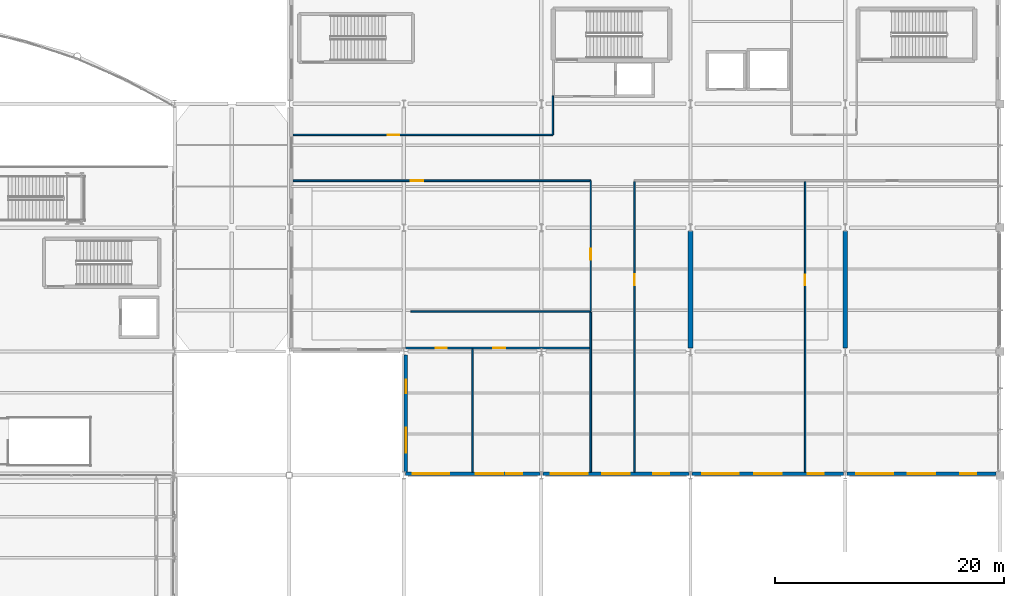
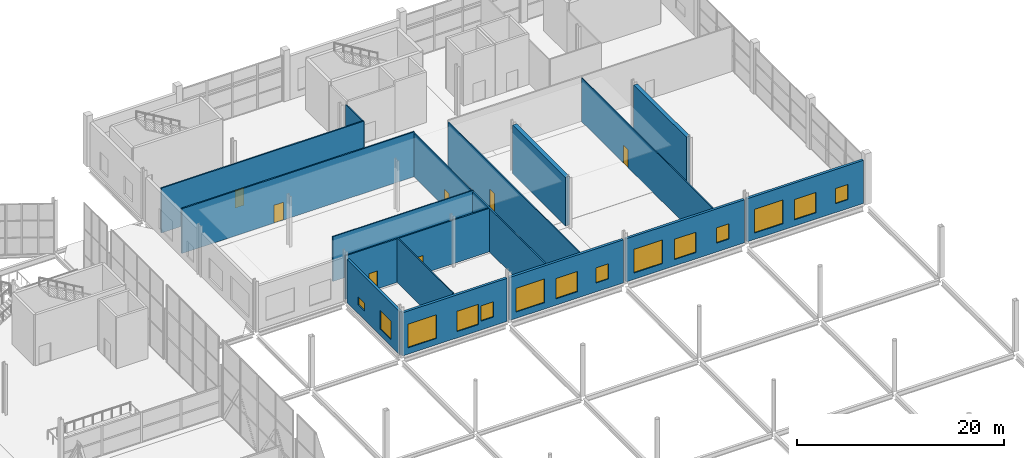
# One storey, part 173 of 191: 17 walls, 14 windows, 7 doors, 21 openings.
"""IFC4 building model written with IfcOpenShell, lengths in metres."""

from ifc_helpers import new_model, si_unit, direction, frame, frame_2d, origin, place, context, subcontext, project, spatial, rectangle, extrude, material, layer, layer_set, type_object, element, fill, save


model = new_model("IFC4")

# Units and contexts
model_context = context("Model", 3, precision=1e-05, world=origin(), true_north=direction((0.0, 1.0)))
body_context = subcontext(model_context, "Body", "Model", "MODEL_VIEW")
ifc_project = project(units=[si_unit("LENGTHUNIT", "METRE"), si_unit("AREAUNIT", "SQUARE_METRE"), si_unit("VOLUMEUNIT", "CUBIC_METRE"), si_unit("PLANEANGLEUNIT", "RADIAN"), si_unit("MASSUNIT", "GRAM", prefix="KILO")], contexts=[model_context])

# Site, building, storey
site_placement = place(None, origin())
site = spatial("IfcSite", under=ifc_project, at=site_placement, CompositionType="ELEMENT")
building_placement = place(site_placement, origin())
building = spatial("IfcBuilding", under=site, at=building_placement, Name="Tamarisk Ironworks Central Station", CompositionType="ELEMENT")
storey_placement = place(building_placement, frame((0.0, 0.0, 6.60009765625)))
storey = spatial("IfcBuildingStorey", under=building, at=storey_placement, Name="L01", CompositionType="ELEMENT", Elevation=6.60009765625)

# Wall, openings, windows
ifc_material_1 = material(Name="Clay facing brickwork and mortar", Category="masonry")
ifc_layer_1 = layer(ifc_material_1, 0.280029296875)
ifc_layer_set_1 = layer_set([ifc_layer_1], Name="Clay facing brickwork and mortar")
wall_type_1 = type_object("IfcWallType", Name="WL-BR280", PredefinedType="STANDARD", material=ifc_layer_set_1)
wall_1_placement = place(storey_placement, frame((128.14794921875, 79.340087890625, 0.0), z_axis=(0.0, 0.0, 1.0), x_axis=(1.0, 0.0, 0.0)))
wall_1 = element("IfcWall", 1, at=wall_1_placement, inside=storey, type_object=wall_type_1, Name="L01 brick facade wall 0057", PredefinedType="STANDARD", context=body_context, shape_type="SweptSolid", body=[
    extrude(rectangle(XDim=11.7041015625, YDim=0.280029296875, at=frame_2d((5.85205078125, 0.0))), origin(), (0.0, 0.0, 1.0), 5.08984375),
])
opening_1_placement = place(wall_1_placement, frame((0.616943359375, 0.0, 0.75)))
opening_1 = element("IfcOpeningElement", 2, at=opening_1_placement, cuts=wall_1, Name="Opening W02", PredefinedType="OPENING", context=body_context, shape_type="SweptSolid", body=[
    extrude(rectangle(XDim=3.199951171875, YDim=2.800048828125, at=frame_2d((1.60009765625, 1.39990234375))), frame((0.0, 0.15185546875, 0.0), z_axis=(0.0, -1.0, 0.0), x_axis=(1.0, 0.0, 0.0)), (0.0, 0.0, 1.0), 0.303955078125),
])
opening_2_placement = place(wall_1_placement, frame((6.10205078125, 0.0, 0.75)))
opening_2 = element("IfcOpeningElement", 3, at=opening_2_placement, cuts=wall_1, Name="Opening W06", PredefinedType="OPENING", context=body_context, shape_type="SweptSolid", body=[
    extrude(rectangle(XDim=2.39990234375, YDim=2.39990234375, at=frame_2d((1.199951171875, 1.199951171875))), frame((0.0, 0.15185546875, 0.0), z_axis=(0.0, -1.0, 0.0), x_axis=(1.0, 0.0, 0.0)), (0.0, 0.0, 1.0), 0.303955078125),
])
opening_3_placement = place(wall_1_placement, frame((8.787109375, 0.0, 1.050048828125)))
opening_3 = element("IfcOpeningElement", 4, at=opening_3_placement, cuts=wall_1, Name="Opening W12", PredefinedType="OPENING", context=body_context, shape_type="SweptSolid", body=[
    extrude(rectangle(XDim=1.39990234375, YDim=1.800048828125, at=frame_2d((0.699951171875, 0.89990234375))), frame((0.0, 0.15185546875, 0.0), z_axis=(0.0, -1.0, 0.0), x_axis=(1.0, 0.0, 0.0)), (0.0, 0.0, 1.0), 0.303955078125),
])
ifc_material_2 = material(Name="Laminated solar-control low-E glass", Category="glass")
window_type_1 = type_object("IfcWindowType", Name="WN-02", PartitioningType="SINGLE_PANEL", PredefinedType="WINDOW", material=ifc_material_2)
window_1_placement = place(opening_1_placement, origin())
window_1 = element("IfcWindow", 5, at=window_1_placement, inside=storey, type_object=window_type_1, Name="L01 exterior window 0083", OverallHeight=2.800048828125, OverallWidth=3.199951171875, PartitioningType="DOUBLE_PANEL_VERTICAL", PredefinedType="WINDOW", context=body_context, shape_type="SweptSolid", body=[
    extrude(rectangle(XDim=3.199951171875, YDim=2.800048828125, at=frame_2d((1.60009765625, 1.39990234375))), frame((0.0, 0.030029296875, 0.0), z_axis=(0.0, -1.0, 0.0), x_axis=(1.0, 0.0, 0.0)), (0.0, 0.0, 1.0), 0.06005859375),
])
fill(opening_1, window_1)
window_type_2 = type_object("IfcWindowType", Name="WN-06", PartitioningType="SINGLE_PANEL", PredefinedType="WINDOW", material=ifc_material_2)
window_2_placement = place(opening_2_placement, origin())
window_2 = element("IfcWindow", 6, at=window_2_placement, inside=storey, type_object=window_type_2, Name="L01 exterior window 0084", OverallHeight=2.39990234375, OverallWidth=2.39990234375, PartitioningType="DOUBLE_PANEL_VERTICAL", PredefinedType="WINDOW", context=body_context, shape_type="SweptSolid", body=[
    extrude(rectangle(XDim=2.39990234375, YDim=2.39990234375, at=frame_2d((1.199951171875, 1.199951171875))), frame((0.0, 0.030029296875, 0.0), z_axis=(0.0, -1.0, 0.0), x_axis=(1.0, 0.0, 0.0)), (0.0, 0.0, 1.0), 0.06005859375),
])
fill(opening_2, window_2)
window_type_3 = type_object("IfcWindowType", Name="WN-12", PartitioningType="SINGLE_PANEL", PredefinedType="WINDOW", material=ifc_material_2)
window_3_placement = place(opening_3_placement, origin())
window_3 = element("IfcWindow", 7, at=window_3_placement, inside=storey, type_object=window_type_3, Name="L01 exterior window 0085", OverallHeight=1.800048828125, OverallWidth=1.39990234375, PartitioningType="DOUBLE_PANEL_VERTICAL", PredefinedType="WINDOW", context=body_context, shape_type="SweptSolid", body=[
    extrude(rectangle(XDim=1.39990234375, YDim=1.800048828125, at=frame_2d((0.699951171875, 0.89990234375))), frame((0.0, 0.030029296875, 0.0), z_axis=(0.0, -1.0, 0.0), x_axis=(1.0, 0.0, 0.0)), (0.0, 0.0, 1.0), 0.06005859375),
])
fill(opening_3, window_3)

wall_2_placement = place(storey_placement, frame((140.14794921875, 79.340087890625, 0.0), z_axis=(0.0, 0.0, 1.0), x_axis=(1.0, 0.0, 0.0)))
wall_2 = element("IfcWall", 8, at=wall_2_placement, inside=storey, type_object=wall_type_1, Name="L01 brick facade wall 0058", PredefinedType="STANDARD", context=body_context, shape_type="SweptSolid", body=[
    extrude(rectangle(XDim=12.7041015625, YDim=0.280029296875, at=frame_2d((6.35205078125, 0.0))), origin(), (0.0, 0.0, 1.0), 5.08984375),
])
opening_4_placement = place(wall_2_placement, frame((0.68408203125, 0.0, 0.75)))
opening_4 = element("IfcOpeningElement", 9, at=opening_4_placement, cuts=wall_2, Name="Opening W02", PredefinedType="OPENING", context=body_context, shape_type="SweptSolid", body=[
    extrude(rectangle(XDim=3.199951171875, YDim=2.800048828125, at=frame_2d((1.60009765625, 1.39990234375))), frame((0.0, 0.15185546875, 0.0), z_axis=(0.0, -1.0, 0.0), x_axis=(1.0, 0.0, 0.0)), (0.0, 0.0, 1.0), 0.303955078125),
])
opening_5_placement = place(wall_2_placement, frame((5.152099609375, 0.0, 0.75)))
opening_5 = element("IfcOpeningElement", 10, at=opening_5_placement, cuts=wall_2, Name="Opening W06", PredefinedType="OPENING", context=body_context, shape_type="SweptSolid", body=[
    extrude(rectangle(XDim=2.39990234375, YDim=2.39990234375, at=frame_2d((1.199951171875, 1.199951171875))), frame((0.0, 0.15185546875, 0.0), z_axis=(0.0, -1.0, 0.0), x_axis=(1.0, 0.0, 0.0)), (0.0, 0.0, 1.0), 0.303955078125),
])
opening_6_placement = place(wall_2_placement, frame((9.6201171875, 0.0, 1.050048828125)))
opening_6 = element("IfcOpeningElement", 11, at=opening_6_placement, cuts=wall_2, Name="Opening W12", PredefinedType="OPENING", context=body_context, shape_type="SweptSolid", body=[
    extrude(rectangle(XDim=1.39990234375, YDim=1.800048828125, at=frame_2d((0.699951171875, 0.89990234375))), frame((0.0, 0.15185546875, 0.0), z_axis=(0.0, -1.0, 0.0), x_axis=(1.0, 0.0, 0.0)), (0.0, 0.0, 1.0), 0.303955078125),
])
window_4_placement = place(opening_4_placement, origin())
window_4 = element("IfcWindow", 12, at=window_4_placement, inside=storey, type_object=window_type_1, Name="L01 exterior window 0086", OverallHeight=2.800048828125, OverallWidth=3.199951171875, PartitioningType="DOUBLE_PANEL_VERTICAL", PredefinedType="WINDOW", context=body_context, shape_type="SweptSolid", body=[
    extrude(rectangle(XDim=3.199951171875, YDim=2.800048828125, at=frame_2d((1.60009765625, 1.39990234375))), frame((0.0, 0.030029296875, 0.0), z_axis=(0.0, -1.0, 0.0), x_axis=(1.0, 0.0, 0.0)), (0.0, 0.0, 1.0), 0.06005859375),
])
fill(opening_4, window_4)
window_5_placement = place(opening_5_placement, origin())
window_5 = element("IfcWindow", 13, at=window_5_placement, inside=storey, type_object=window_type_2, Name="L01 exterior window 0087", OverallHeight=2.39990234375, OverallWidth=2.39990234375, PartitioningType="DOUBLE_PANEL_VERTICAL", PredefinedType="WINDOW", context=body_context, shape_type="SweptSolid", body=[
    extrude(rectangle(XDim=2.39990234375, YDim=2.39990234375, at=frame_2d((1.199951171875, 1.199951171875))), frame((0.0, 0.030029296875, 0.0), z_axis=(0.0, -1.0, 0.0), x_axis=(1.0, 0.0, 0.0)), (0.0, 0.0, 1.0), 0.06005859375),
])
fill(opening_5, window_5)
window_6_placement = place(opening_6_placement, origin())
window_6 = element("IfcWindow", 14, at=window_6_placement, inside=storey, type_object=window_type_3, Name="L01 exterior window 0088", OverallHeight=1.800048828125, OverallWidth=1.39990234375, PartitioningType="DOUBLE_PANEL_VERTICAL", PredefinedType="WINDOW", context=body_context, shape_type="SweptSolid", body=[
    extrude(rectangle(XDim=1.39990234375, YDim=1.800048828125, at=frame_2d((0.699951171875, 0.89990234375))), frame((0.0, 0.030029296875, 0.0), z_axis=(0.0, -1.0, 0.0), x_axis=(1.0, 0.0, 0.0)), (0.0, 0.0, 1.0), 0.06005859375),
])
fill(opening_6, window_6)

wall_3_placement = place(storey_placement, frame((153.14794921875, 79.340087890625, 0.0), z_axis=(0.0, 0.0, 1.0), x_axis=(1.0, 0.0, 0.0)))
wall_3 = element("IfcWall", 15, at=wall_3_placement, inside=storey, type_object=wall_type_1, Name="L01 brick facade wall 0059", PredefinedType="STANDARD", context=body_context, shape_type="SweptSolid", body=[
    extrude(rectangle(XDim=13.2041015625, YDim=0.280029296875, at=frame_2d((6.60205078125, 0.0))), origin(), (0.0, 0.0, 1.0), 5.08984375),
])
opening_7_placement = place(wall_3_placement, frame((0.866943359375, 0.0, 0.75)))
opening_7 = element("IfcOpeningElement", 16, at=opening_7_placement, cuts=wall_3, Name="Opening W02", PredefinedType="OPENING", context=body_context, shape_type="SweptSolid", body=[
    extrude(rectangle(XDim=3.199951171875, YDim=2.800048828125, at=frame_2d((1.60009765625, 1.39990234375))), frame((0.0, 0.15185546875, 0.0), z_axis=(0.0, -1.0, 0.0), x_axis=(1.0, 0.0, 0.0)), (0.0, 0.0, 1.0), 0.303955078125),
])
opening_8_placement = place(wall_3_placement, frame((5.402099609375, 0.0, 0.75)))
opening_8 = element("IfcOpeningElement", 17, at=opening_8_placement, cuts=wall_3, Name="Opening W06", PredefinedType="OPENING", context=body_context, shape_type="SweptSolid", body=[
    extrude(rectangle(XDim=2.39990234375, YDim=2.39990234375, at=frame_2d((1.199951171875, 1.199951171875))), frame((0.0, 0.15185546875, 0.0), z_axis=(0.0, -1.0, 0.0), x_axis=(1.0, 0.0, 0.0)), (0.0, 0.0, 1.0), 0.303955078125),
])
opening_9_placement = place(wall_3_placement, frame((10.0869140625, 0.0, 1.050048828125)))
opening_9 = element("IfcOpeningElement", 18, at=opening_9_placement, cuts=wall_3, Name="Opening W12", PredefinedType="OPENING", context=body_context, shape_type="SweptSolid", body=[
    extrude(rectangle(XDim=1.39990234375, YDim=1.800048828125, at=frame_2d((0.699951171875, 0.89990234375))), frame((0.0, 0.15185546875, 0.0), z_axis=(0.0, -1.0, 0.0), x_axis=(1.0, 0.0, 0.0)), (0.0, 0.0, 1.0), 0.303955078125),
])
window_7_placement = place(opening_7_placement, origin())
window_7 = element("IfcWindow", 19, at=window_7_placement, inside=storey, type_object=window_type_1, Name="L01 exterior window 0089", OverallHeight=2.800048828125, OverallWidth=3.199951171875, PartitioningType="DOUBLE_PANEL_VERTICAL", PredefinedType="WINDOW", context=body_context, shape_type="SweptSolid", body=[
    extrude(rectangle(XDim=3.199951171875, YDim=2.800048828125, at=frame_2d((1.60009765625, 1.39990234375))), frame((0.0, 0.030029296875, 0.0), z_axis=(0.0, -1.0, 0.0), x_axis=(1.0, 0.0, 0.0)), (0.0, 0.0, 1.0), 0.06005859375),
])
fill(opening_7, window_7)
window_8_placement = place(opening_8_placement, origin())
window_8 = element("IfcWindow", 20, at=window_8_placement, inside=storey, type_object=window_type_2, Name="L01 exterior window 0090", OverallHeight=2.39990234375, OverallWidth=2.39990234375, PartitioningType="DOUBLE_PANEL_VERTICAL", PredefinedType="WINDOW", context=body_context, shape_type="SweptSolid", body=[
    extrude(rectangle(XDim=2.39990234375, YDim=2.39990234375, at=frame_2d((1.199951171875, 1.199951171875))), frame((0.0, 0.030029296875, 0.0), z_axis=(0.0, -1.0, 0.0), x_axis=(1.0, 0.0, 0.0)), (0.0, 0.0, 1.0), 0.06005859375),
])
fill(opening_8, window_8)
window_9_placement = place(opening_9_placement, origin())
window_9 = element("IfcWindow", 21, at=window_9_placement, inside=storey, type_object=window_type_3, Name="L01 exterior window 0091", OverallHeight=1.800048828125, OverallWidth=1.39990234375, PartitioningType="DOUBLE_PANEL_VERTICAL", PredefinedType="WINDOW", context=body_context, shape_type="SweptSolid", body=[
    extrude(rectangle(XDim=1.39990234375, YDim=1.800048828125, at=frame_2d((0.699951171875, 0.89990234375))), frame((0.0, 0.030029296875, 0.0), z_axis=(0.0, -1.0, 0.0), x_axis=(1.0, 0.0, 0.0)), (0.0, 0.0, 1.0), 0.06005859375),
])
fill(opening_9, window_9)

wall_4_placement = place(storey_placement, frame((166.64794921875, 79.340087890625, 0.0), z_axis=(0.0, 0.0, 1.0), x_axis=(1.0, 0.0, 0.0)))
wall_4 = element("IfcWall", 22, at=wall_4_placement, inside=storey, type_object=wall_type_1, Name="L01 brick facade wall 0060", PredefinedType="STANDARD", context=body_context, shape_type="SweptSolid", body=[
    extrude(rectangle(XDim=13.004150390625, YDim=0.280029296875, at=frame_2d((6.501953125, 0.0))), origin(), (0.0, 0.0, 1.0), 5.08984375),
])
opening_10_placement = place(wall_4_placement, frame((0.833984375, 0.0, 0.75)))
opening_10 = element("IfcOpeningElement", 23, at=opening_10_placement, cuts=wall_4, Name="Opening W02", PredefinedType="OPENING", context=body_context, shape_type="SweptSolid", body=[
    extrude(rectangle(XDim=3.199951171875, YDim=2.800048828125, at=frame_2d((1.60009765625, 1.39990234375))), frame((0.0, 0.15185546875, 0.0), z_axis=(0.0, -1.0, 0.0), x_axis=(1.0, 0.0, 0.0)), (0.0, 0.0, 1.0), 0.303955078125),
])
opening_11_placement = place(wall_4_placement, frame((5.302001953125, 0.0, 0.75)))
opening_11 = element("IfcOpeningElement", 24, at=opening_11_placement, cuts=wall_4, Name="Opening W06", PredefinedType="OPENING", context=body_context, shape_type="SweptSolid", body=[
    extrude(rectangle(XDim=2.39990234375, YDim=2.39990234375, at=frame_2d((1.199951171875, 1.199951171875))), frame((0.0, 0.15185546875, 0.0), z_axis=(0.0, -1.0, 0.0), x_axis=(1.0, 0.0, 0.0)), (0.0, 0.0, 1.0), 0.303955078125),
])
opening_12_placement = place(wall_4_placement, frame((9.8701171875, 0.0, 1.050048828125)))
opening_12 = element("IfcOpeningElement", 25, at=opening_12_placement, cuts=wall_4, Name="Opening W12", PredefinedType="OPENING", context=body_context, shape_type="SweptSolid", body=[
    extrude(rectangle(XDim=1.39990234375, YDim=1.800048828125, at=frame_2d((0.699951171875, 0.89990234375))), frame((0.0, 0.15185546875, 0.0), z_axis=(0.0, -1.0, 0.0), x_axis=(1.0, 0.0, 0.0)), (0.0, 0.0, 1.0), 0.303955078125),
])
window_10_placement = place(opening_10_placement, origin())
window_10 = element("IfcWindow", 26, at=window_10_placement, inside=storey, type_object=window_type_1, Name="L01 exterior window 0092", OverallHeight=2.800048828125, OverallWidth=3.199951171875, PartitioningType="DOUBLE_PANEL_VERTICAL", PredefinedType="WINDOW", context=body_context, shape_type="SweptSolid", body=[
    extrude(rectangle(XDim=3.199951171875, YDim=2.800048828125, at=frame_2d((1.60009765625, 1.39990234375))), frame((0.0, 0.030029296875, 0.0), z_axis=(0.0, -1.0, 0.0), x_axis=(1.0, 0.0, 0.0)), (0.0, 0.0, 1.0), 0.06005859375),
])
fill(opening_10, window_10)
window_11_placement = place(opening_11_placement, origin())
window_11 = element("IfcWindow", 27, at=window_11_placement, inside=storey, type_object=window_type_2, Name="L01 exterior window 0093", OverallHeight=2.39990234375, OverallWidth=2.39990234375, PartitioningType="DOUBLE_PANEL_VERTICAL", PredefinedType="WINDOW", context=body_context, shape_type="SweptSolid", body=[
    extrude(rectangle(XDim=2.39990234375, YDim=2.39990234375, at=frame_2d((1.199951171875, 1.199951171875))), frame((0.0, 0.030029296875, 0.0), z_axis=(0.0, -1.0, 0.0), x_axis=(1.0, 0.0, 0.0)), (0.0, 0.0, 1.0), 0.06005859375),
])
fill(opening_11, window_11)
window_12_placement = place(opening_12_placement, origin())
window_12 = element("IfcWindow", 28, at=window_12_placement, inside=storey, type_object=window_type_3, Name="L01 exterior window 0094", OverallHeight=1.800048828125, OverallWidth=1.39990234375, PartitioningType="DOUBLE_PANEL_VERTICAL", PredefinedType="WINDOW", context=body_context, shape_type="SweptSolid", body=[
    extrude(rectangle(XDim=1.39990234375, YDim=1.800048828125, at=frame_2d((0.699951171875, 0.89990234375))), frame((0.0, 0.030029296875, 0.0), z_axis=(0.0, -1.0, 0.0), x_axis=(1.0, 0.0, 0.0)), (0.0, 0.0, 1.0), 0.06005859375),
])
fill(opening_12, window_12)

wall_5_placement = place(storey_placement, frame((128.169921875, 79.498046875, 0.0), z_axis=(0.0, 0.0, 1.0), x_axis=(0.0, 1.0, 0.0)))
wall_5 = element("IfcWall", 29, at=wall_5_placement, inside=storey, type_object=wall_type_1, Name="L01 brick facade wall 0065", PredefinedType="STANDARD", context=body_context, shape_type="SweptSolid", body=[
    extrude(rectangle(XDim=10.203857421875, YDim=0.280029296875, at=frame_2d((5.10205078125, 0.0))), origin(), (0.0, 0.0, 1.0), 5.08984375),
])
opening_13_placement = place(wall_5_placement, frame((1.65087890625, 0.0, 0.75)))
opening_13 = element("IfcOpeningElement", 30, at=opening_13_placement, cuts=wall_5, Name="Opening W07", PredefinedType="OPENING", context=body_context, shape_type="SweptSolid", body=[
    extrude(rectangle(XDim=2.199951171875, YDim=2.199951171875, at=frame_2d((1.10009765625, 1.10009765625))), frame((0.0, 0.15185546875, 0.0), z_axis=(0.0, -1.0, 0.0), x_axis=(1.0, 0.0, 0.0)), (0.0, 0.0, 1.0), 0.303955078125),
])
opening_14_placement = place(wall_5_placement, frame((6.85302734375, 0.0, 1.050048828125)))
opening_14 = element("IfcOpeningElement", 31, at=opening_14_placement, cuts=wall_5, Name="Opening W19", PredefinedType="OPENING", context=body_context, shape_type="SweptSolid", body=[
    extrude(rectangle(XDim=1.199951171875, YDim=0.89990234375, at=frame_2d((0.60009765625, 0.449951171875))), frame((0.0, 0.15185546875, 0.0), z_axis=(0.0, -1.0, 0.0), x_axis=(1.0, 0.0, 0.0)), (0.0, 0.0, 1.0), 0.303955078125),
])
window_type_4 = type_object("IfcWindowType", Name="WN-07", PartitioningType="SINGLE_PANEL", PredefinedType="WINDOW", material=ifc_material_2)
window_13_placement = place(opening_13_placement, origin())
window_13 = element("IfcWindow", 32, at=window_13_placement, inside=storey, type_object=window_type_4, Name="L01 exterior window 0103", OverallHeight=2.199951171875, OverallWidth=2.199951171875, PartitioningType="DOUBLE_PANEL_VERTICAL", PredefinedType="WINDOW", context=body_context, shape_type="SweptSolid", body=[
    extrude(rectangle(XDim=2.199951171875, YDim=2.199951171875, at=frame_2d((1.10009765625, 1.10009765625))), frame((0.0, 0.030029296875, 0.0), z_axis=(0.0, -1.0, 0.0), x_axis=(1.0, 0.0, 0.0)), (0.0, 0.0, 1.0), 0.06005859375),
])
fill(opening_13, window_13)
window_type_5 = type_object("IfcWindowType", Name="WN-19", PartitioningType="SINGLE_PANEL", PredefinedType="WINDOW", material=ifc_material_2)
window_14_placement = place(opening_14_placement, origin())
window_14 = element("IfcWindow", 33, at=window_14_placement, inside=storey, type_object=window_type_5, Name="L01 exterior window 0104", OverallHeight=0.89990234375, OverallWidth=1.199951171875, PartitioningType="DOUBLE_PANEL_VERTICAL", PredefinedType="WINDOW", context=body_context, shape_type="SweptSolid", body=[
    extrude(rectangle(XDim=1.199951171875, YDim=0.89990234375, at=frame_2d((0.60009765625, 0.449951171875))), frame((0.0, 0.030029296875, 0.0), z_axis=(0.0, -1.0, 0.0), x_axis=(1.0, 0.0, 0.0)), (0.0, 0.0, 1.0), 0.06005859375),
])
fill(opening_14, window_14)

# Wall
ifc_material_3 = material(Name="Gypsum plasterboard acoustic partition")
ifc_layer_2 = layer(ifc_material_3, 0.1201171875)
ifc_layer_set_2 = layer_set([ifc_layer_2], Name="Gypsum plasterboard acoustic partition")
wall_type_2 = type_object("IfcWallType", Name="WL-PT120", PredefinedType="PARTITIONING", material=ifc_layer_set_2)
wall_6_placement = place(storey_placement, frame((128.60009765625, 93.5, 0.0), z_axis=(0.0, 0.0, 1.0), x_axis=(1.0, 0.0, 0.0)))
element("IfcWall", 34, at=wall_6_placement, inside=storey, type_object=wall_type_2, Name="L01 interior partition 0075", PredefinedType="PARTITIONING", context=body_context, shape_type="SweptSolid", body=[
    extrude(rectangle(XDim=15.699951171875, YDim=0.1201171875, at=frame_2d((7.85009765625, 0.0))), origin(), (0.0, 0.0, 1.0), 5.289794921875),
])

# Wall, opening, door
wall_7_placement = place(storey_placement, frame((144.300048828125, 93.5, 0.0), z_axis=(0.0, 0.0, 1.0), x_axis=(0.0, 1.0, 0.0)))
wall_7 = element("IfcWall", 35, at=wall_7_placement, inside=storey, type_object=wall_type_2, Name="L01 interior partition 0076", PredefinedType="PARTITIONING", context=body_context, shape_type="SweptSolid", body=[
    extrude(rectangle(XDim=11.39990234375, YDim=0.1201171875, at=frame_2d((5.699951171875, 0.0))), origin(), (0.0, 0.0, 1.0), 5.139892578125),
])
opening_15_placement = place(wall_7_placement, frame((4.5, 0.0, 0.0048828125)))
opening_15 = element("IfcOpeningElement", 36, at=opening_15_placement, cuts=wall_7, Name="Opening D07", PredefinedType="OPENING", context=body_context, shape_type="SweptSolid", body=[
    extrude(rectangle(XDim=0.949951171875, YDim=2.10009765625, at=frame_2d((0.47509765625, 1.050048828125))), frame((0.0, 0.072021484375, 0.0), z_axis=(0.0, -1.0, 0.0), x_axis=(1.0, 0.0, 0.0)), (0.0, 0.0, 1.0), 0.14404296875),
])
ifc_material_4 = material(Name="FSC certified tropical hardwood timber", Category="wood")
door_type_1 = type_object("IfcDoorType", Name="DR-ID07", OperationType="NOTDEFINED", PredefinedType="DOOR", material=ifc_material_4)
door_1_placement = place(opening_15_placement, origin())
door_1 = element("IfcDoor", 37, at=door_1_placement, inside=storey, type_object=door_type_1, Name="L01 room door 0056", OperationType="SINGLE_SWING_LEFT", OverallHeight=2.10009765625, OverallWidth=0.949951171875, PredefinedType="DOOR", context=body_context, shape_type="SweptSolid", body=[
    extrude(rectangle(XDim=0.949951171875, YDim=2.10009765625, at=frame_2d((0.47509765625, 1.050048828125))), frame((0.0, 0.02490234375, 0.0), z_axis=(0.0, -1.0, 0.0), x_axis=(1.0, 0.0, 0.0)), (0.0, 0.0, 1.0), 0.050048828125),
])
fill(opening_15, door_1)

wall_8_placement = place(storey_placement, frame((148.10009765625, 79.47802734375, 0.0), z_axis=(0.0, 0.0, 1.0), x_axis=(0.0, 1.0, 0.0)))
wall_8 = element("IfcWall", 38, at=wall_8_placement, inside=storey, type_object=wall_type_2, Name="L01 interior partition 0078", PredefinedType="PARTITIONING", context=body_context, shape_type="SweptSolid", body=[
    extrude(rectangle(XDim=25.348876953125, YDim=0.1201171875, at=frame_2d((12.67431640625, 0.0))), origin(), (0.0, 0.0, 1.0), 5.139892578125),
])
opening_16_placement = place(wall_8_placement, frame((16.322021484375, 0.0, 0.0048828125)))
opening_16 = element("IfcOpeningElement", 39, at=opening_16_placement, cuts=wall_8, Name="Opening D07", PredefinedType="OPENING", context=body_context, shape_type="SweptSolid", body=[
    extrude(rectangle(XDim=0.949951171875, YDim=2.10009765625, at=frame_2d((0.47509765625, 1.050048828125))), frame((0.0, 0.072021484375, 0.0), z_axis=(0.0, -1.0, 0.0), x_axis=(1.0, 0.0, 0.0)), (0.0, 0.0, 1.0), 0.14404296875),
])
door_2_placement = place(opening_16_placement, origin())
door_2 = element("IfcDoor", 40, at=door_2_placement, inside=storey, type_object=door_type_1, Name="L01 room door 0057", OperationType="SINGLE_SWING_RIGHT", OverallHeight=2.10009765625, OverallWidth=0.949951171875, PredefinedType="DOOR", context=body_context, shape_type="SweptSolid", body=[
    extrude(rectangle(XDim=0.949951171875, YDim=2.10009765625, at=frame_2d((0.47509765625, 1.050048828125))), frame((0.0, 0.02490234375, 0.0), z_axis=(0.0, -1.0, 0.0), x_axis=(1.0, 0.0, 0.0)), (0.0, 0.0, 1.0), 0.050048828125),
])
fill(opening_16, door_2)

# Wall
wall_9_placement = place(storey_placement, frame((141.0, 108.89990234375, 0.0), z_axis=(0.0, 0.0, 1.0), x_axis=(0.0, 1.0, 0.0)))
element("IfcWall", 41, at=wall_9_placement, inside=storey, type_object=wall_type_2, Name="L01 interior partition 0080", PredefinedType="PARTITIONING", context=body_context, shape_type="SweptSolid", body=[
    extrude(rectangle(XDim=3.400146484375, YDim=0.1201171875, at=frame_2d((1.7001953125, 0.0))), origin(), (0.0, 0.0, 1.0), 5.139892578125),
])

# Wall, opening, door
wall_10_placement = place(storey_placement, frame((163.0, 79.47802734375, 0.0), z_axis=(0.0, 0.0, 1.0), x_axis=(0.0, 1.0, 0.0)))
wall_10 = element("IfcWall", 42, at=wall_10_placement, inside=storey, type_object=wall_type_2, Name="L01 interior partition 0084", PredefinedType="PARTITIONING", context=body_context, shape_type="SweptSolid", body=[
    extrude(rectangle(XDim=25.348876953125, YDim=0.1201171875, at=frame_2d((12.67431640625, 0.0))), origin(), (0.0, 0.0, 1.0), 5.139892578125),
])
opening_17_placement = place(wall_10_placement, frame((16.322021484375, 0.0, 0.0048828125)))
opening_17 = element("IfcOpeningElement", 43, at=opening_17_placement, cuts=wall_10, Name="Opening D08", PredefinedType="OPENING", context=body_context, shape_type="SweptSolid", body=[
    extrude(rectangle(XDim=0.89990234375, YDim=2.10009765625, at=frame_2d((0.449951171875, 1.050048828125))), frame((0.0, 0.072021484375, 0.0), z_axis=(0.0, -1.0, 0.0), x_axis=(1.0, 0.0, 0.0)), (0.0, 0.0, 1.0), 0.14404296875),
])
door_type_2 = type_object("IfcDoorType", Name="DR-ID08", OperationType="NOTDEFINED", PredefinedType="DOOR", material=ifc_material_4)
door_3_placement = place(opening_17_placement, origin())
door_3 = element("IfcDoor", 44, at=door_3_placement, inside=storey, type_object=door_type_2, Name="L01 room door 0061", OperationType="SINGLE_SWING_LEFT", OverallHeight=2.10009765625, OverallWidth=0.89990234375, PredefinedType="DOOR", context=body_context, shape_type="SweptSolid", body=[
    extrude(rectangle(XDim=0.89990234375, YDim=2.10009765625, at=frame_2d((0.449951171875, 1.050048828125))), frame((0.0, 0.02490234375, 0.0), z_axis=(0.0, -1.0, 0.0), x_axis=(1.0, 0.0, 0.0)), (0.0, 0.0, 1.0), 0.050048828125),
])
fill(opening_17, door_3)

# Wall
wall_11_placement = place(storey_placement, frame((134.0, 79.47802734375, 0.0), z_axis=(0.0, 0.0, 1.0), x_axis=(0.0, 1.0, 0.0)))
element("IfcWall", 45, at=wall_11_placement, inside=storey, type_object=wall_type_2, Name="L01 interior partition 0086", PredefinedType="PARTITIONING", context=body_context, shape_type="SweptSolid", body=[
    extrude(rectangle(XDim=10.7490234375, YDim=0.1201171875, at=frame_2d((5.37451171875, 0.0))), origin(), (0.0, 0.0, 1.0), 5.239990234375),
])

# Wall, opening, door
ifc_layer_3 = layer(ifc_material_3, 0.14990234375)
ifc_layer_set_3 = layer_set([ifc_layer_3], Name="Gypsum plasterboard acoustic partition")
wall_type_3 = type_object("IfcWallType", Name="WL-PT150", PredefinedType="PARTITIONING", material=ifc_layer_set_3)
wall_12_placement = place(storey_placement, frame((118.337890625, 104.89990234375, 0.0), z_axis=(0.0, 0.0, 1.0), x_axis=(1.0, 0.0, 0.0)))
wall_12 = element("IfcWall", 46, at=wall_12_placement, inside=storey, type_object=wall_type_3, Name="L01 interior partition 0073", PredefinedType="PARTITIONING", context=body_context, shape_type="SweptSolid", body=[
    extrude(rectangle(XDim=25.962158203125, YDim=0.14990234375, at=frame_2d((12.98095703125, 0.0))), origin(), (0.0, 0.0, 1.0), 5.289794921875),
])
opening_18_placement = place(wall_12_placement, frame((10.261962890625, 0.0, 0.0048828125)))
opening_18 = element("IfcOpeningElement", 47, at=opening_18_placement, cuts=wall_12, Name="Opening D05", PredefinedType="OPENING", context=body_context, shape_type="SweptSolid", body=[
    extrude(rectangle(XDim=1.10009765625, YDim=2.10009765625, at=frame_2d((0.550048828125, 1.050048828125))), frame((0.0, 0.0869140625, 0.0), z_axis=(0.0, -1.0, 0.0), x_axis=(1.0, 0.0, 0.0)), (0.0, 0.0, 1.0), 0.173828125),
])
door_type_3 = type_object("IfcDoorType", Name="DR-ID05", OperationType="NOTDEFINED", PredefinedType="DOOR", material=ifc_material_4)
door_4_placement = place(opening_18_placement, origin())
door_4 = element("IfcDoor", 48, at=door_4_placement, inside=storey, type_object=door_type_3, Name="L01 room door 0053", OperationType="SINGLE_SWING_LEFT", OverallHeight=2.10009765625, OverallWidth=1.10009765625, PredefinedType="DOOR", context=body_context, shape_type="SweptSolid", body=[
    extrude(rectangle(XDim=1.10009765625, YDim=2.10009765625, at=frame_2d((0.550048828125, 1.050048828125))), frame((0.0, 0.02490234375, 0.0), z_axis=(0.0, -1.0, 0.0), x_axis=(1.0, 0.0, 0.0)), (0.0, 0.0, 1.0), 0.050048828125),
])
fill(opening_18, door_4)

# Wall
wall_13_placement = place(storey_placement, frame((144.300048828125, 79.47802734375, 0.0), z_axis=(0.0, 0.0, 1.0), x_axis=(0.0, 1.0, 0.0)))
element("IfcWall", 49, at=wall_13_placement, inside=storey, type_object=wall_type_3, Name="L01 interior partition 0077", PredefinedType="PARTITIONING", context=body_context, shape_type="SweptSolid", body=[
    extrude(rectangle(XDim=13.9638671875, YDim=0.14990234375, at=frame_2d((6.98193359375, 0.0))), origin(), (0.0, 0.0, 1.0), 5.139892578125),
])

# Wall, opening, door
wall_14_placement = place(storey_placement, frame((118.337890625, 108.89990234375, 0.0), z_axis=(0.0, 0.0, 1.0), x_axis=(1.0, 0.0, 0.0)))
wall_14 = element("IfcWall", 50, at=wall_14_placement, inside=storey, type_object=wall_type_3, Name="L01 interior partition 0079", PredefinedType="PARTITIONING", context=body_context, shape_type="SweptSolid", body=[
    extrude(rectangle(XDim=22.662109375, YDim=0.14990234375, at=frame_2d((11.3310546875, 0.0))), origin(), (0.0, 0.0, 1.0), 5.289794921875),
])
opening_19_placement = place(wall_14_placement, frame((8.261962890625, 0.0, 0.0048828125)))
opening_19 = element("IfcOpeningElement", 51, at=opening_19_placement, cuts=wall_14, Name="Opening D06", PredefinedType="OPENING", context=body_context, shape_type="SweptSolid", body=[
    extrude(rectangle(XDim=1.0, YDim=2.10009765625, at=frame_2d((0.5, 1.050048828125))), frame((0.0, 0.0869140625, 0.0), z_axis=(0.0, -1.0, 0.0), x_axis=(1.0, 0.0, 0.0)), (0.0, 0.0, 1.0), 0.173828125),
])
door_type_4 = type_object("IfcDoorType", Name="DR-ID06", OperationType="NOTDEFINED", PredefinedType="DOOR", material=ifc_material_4)
door_5_placement = place(opening_19_placement, origin())
door_5 = element("IfcDoor", 52, at=door_5_placement, inside=storey, type_object=door_type_4, Name="L01 room door 0058", OperationType="SINGLE_SWING_RIGHT", OverallHeight=2.10009765625, OverallWidth=1.0, PredefinedType="DOOR", context=body_context, shape_type="SweptSolid", body=[
    extrude(rectangle(XDim=1.0, YDim=2.10009765625, at=frame_2d((0.5, 1.050048828125))), frame((0.0, 0.02490234375, 0.0), z_axis=(0.0, -1.0, 0.0), x_axis=(1.0, 0.0, 0.0)), (0.0, 0.0, 1.0), 0.050048828125),
])
fill(opening_19, door_5)

# Wall, openings, doors
wall_15_placement = place(storey_placement, frame((128.14794921875, 90.300048828125, 0.0), z_axis=(0.0, 0.0, 1.0), x_axis=(1.0, 0.0, 0.0)))
wall_15 = element("IfcWall", 53, at=wall_15_placement, inside=storey, type_object=wall_type_3, Name="L01 interior partition 0085", PredefinedType="PARTITIONING", context=body_context, shape_type="SweptSolid", body=[
    extrude(rectangle(XDim=16.0791015625, YDim=0.14990234375, at=frame_2d((8.03955078125, 0.0))), origin(), (0.0, 0.0, 1.0), 5.139892578125),
])
opening_20_placement = place(wall_15_placement, frame((2.652099609375, 0.0, 0.0048828125)))
opening_20 = element("IfcOpeningElement", 54, at=opening_20_placement, cuts=wall_15, Name="Opening WC01", PredefinedType="OPENING", context=body_context, shape_type="SweptSolid", body=[
    extrude(rectangle(XDim=0.919921875, YDim=2.1201171875, at=frame_2d((0.4599609375, 1.06005859375))), frame((0.0, 0.0869140625, 0.0), z_axis=(0.0, -1.0, 0.0), x_axis=(1.0, 0.0, 0.0)), (0.0, 0.0, 1.0), 0.173828125),
])
opening_21_placement = place(wall_15_placement, frame((7.652099609375, 0.0, 0.0048828125)))
opening_21 = element("IfcOpeningElement", 55, at=opening_21_placement, cuts=wall_15, Name="Opening WC02", PredefinedType="OPENING", context=body_context, shape_type="SweptSolid", body=[
    extrude(rectangle(XDim=1.050048828125, YDim=2.14990234375, at=frame_2d((0.52490234375, 1.074951171875))), frame((0.0, 0.0869140625, 0.0), z_axis=(0.0, -1.0, 0.0), x_axis=(1.0, 0.0, 0.0)), (0.0, 0.0, 1.0), 0.173828125),
])
door_type_5 = type_object("IfcDoorType", Name="DR-WC01", OperationType="NOTDEFINED", PredefinedType="DOOR", material=ifc_material_4)
door_6_placement = place(opening_20_placement, origin())
door_6 = element("IfcDoor", 56, at=door_6_placement, inside=storey, type_object=door_type_5, Name="L01 room door 0062", OperationType="SINGLE_SWING_LEFT", OverallHeight=2.1201171875, OverallWidth=0.919921875, PredefinedType="DOOR", context=body_context, shape_type="SweptSolid", body=[
    extrude(rectangle(XDim=0.919921875, YDim=2.1201171875, at=frame_2d((0.4599609375, 1.06005859375))), frame((0.0, 0.02490234375, 0.0), z_axis=(0.0, -1.0, 0.0), x_axis=(1.0, 0.0, 0.0)), (0.0, 0.0, 1.0), 0.050048828125),
])
fill(opening_20, door_6)
door_type_6 = type_object("IfcDoorType", Name="DR-WC02", OperationType="NOTDEFINED", PredefinedType="DOOR", material=ifc_material_4)
door_7_placement = place(opening_21_placement, origin())
door_7 = element("IfcDoor", 57, at=door_7_placement, inside=storey, type_object=door_type_6, Name="L01 room door 0063", OperationType="SINGLE_SWING_RIGHT", OverallHeight=2.14990234375, OverallWidth=1.050048828125, PredefinedType="DOOR", context=body_context, shape_type="SweptSolid", body=[
    extrude(rectangle(XDim=1.050048828125, YDim=2.14990234375, at=frame_2d((0.52490234375, 1.074951171875))), frame((0.0, 0.02490234375, 0.0), z_axis=(0.0, -1.0, 0.0), x_axis=(1.0, 0.0, 0.0)), (0.0, 0.0, 1.0), 0.050048828125),
])
fill(opening_21, door_7)

# Walls
ifc_material_5 = material(Name="Concrete C50/60", Category="concrete")
ifc_layer_4 = layer(ifc_material_5, 0.419921875)
ifc_layer_set_4 = layer_set([ifc_layer_4], Name="Concrete C50/60")
wall_type_4 = type_object("IfcWallType", Name="WL-SW420", PredefinedType="SHEAR", material=ifc_layer_set_4)
wall_16_placement = place(storey_placement, frame((166.5, 90.298095703125, 0.0), z_axis=(0.0, 0.0, 1.0), x_axis=(0.0, 1.0, 0.0)))
element("IfcWall", 58, at=wall_16_placement, inside=storey, type_object=wall_type_4, Name="L01 lateral shear wall 06", PredefinedType="SHEAR", context=body_context, shape_type="SweptSolid", body=[
    extrude(rectangle(XDim=10.203857421875, YDim=0.419921875, at=frame_2d((5.10205078125, 0.0))), origin(), (0.0, 0.0, 1.0), 5.75),
])
ifc_layer_5 = layer(ifc_material_5, 0.4599609375)
ifc_layer_set_5 = layer_set([ifc_layer_5], Name="Concrete C50/60")
wall_type_5 = type_object("IfcWallType", Name="WL-SW460", PredefinedType="SHEAR", material=ifc_layer_set_5)
wall_17_placement = place(storey_placement, frame((153.0, 90.298095703125, 0.0), z_axis=(0.0, 0.0, 1.0), x_axis=(0.0, 1.0, 0.0)))
element("IfcWall", 59, at=wall_17_placement, inside=storey, type_object=wall_type_5, Name="L01 lateral shear wall 05", PredefinedType="SHEAR", context=body_context, shape_type="SweptSolid", body=[
    extrude(rectangle(XDim=10.203857421875, YDim=0.4599609375, at=frame_2d((5.10205078125, 0.0))), origin(), (0.0, 0.0, 1.0), 5.75),
])

save(model, "model.ifc")
